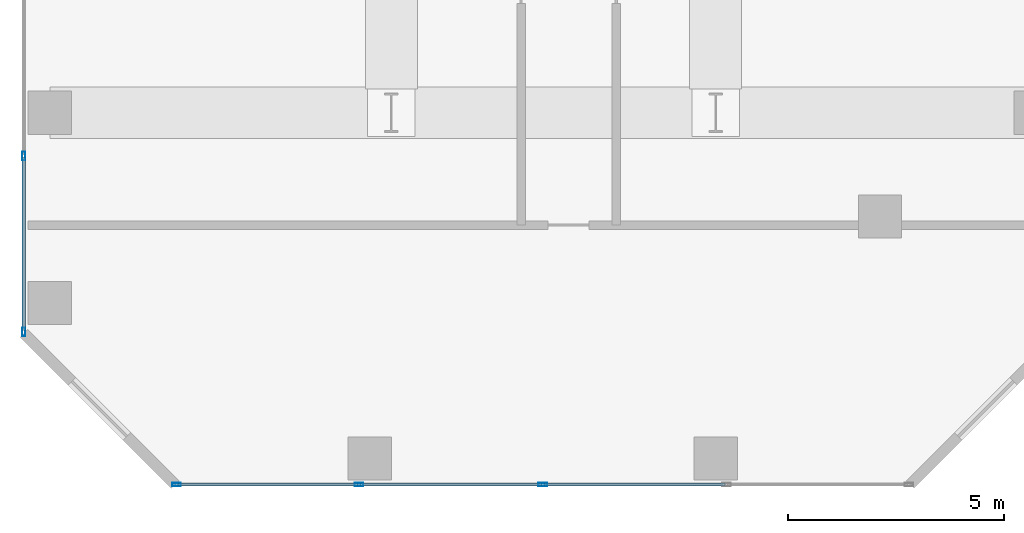
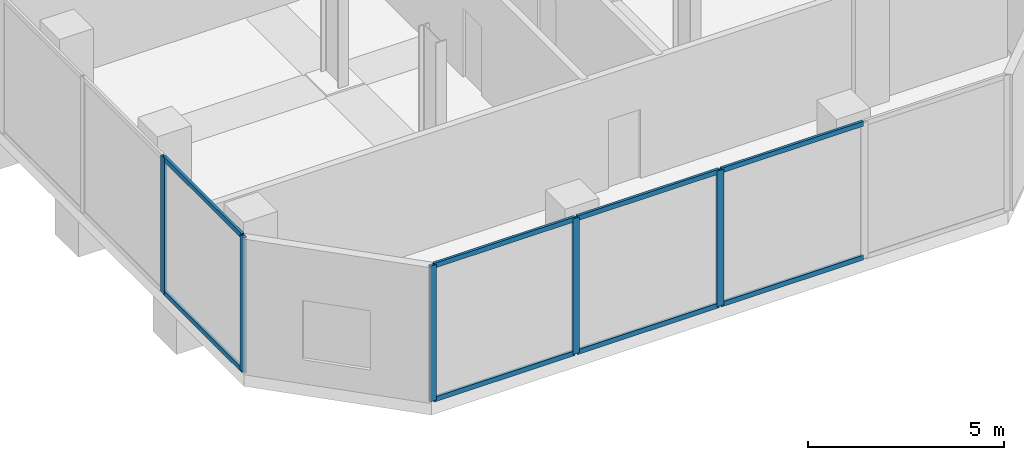
# One storey, part 2 of 24: 13 members, 2 elements without a shape of their own.
"""IFC4 building model written with IfcOpenShell, lengths in metres."""

from ifc_helpers import new_model, si_unit, direction, frame, origin, origin_2d, place, context, subcontext, project, spatial, hollow_rectangle, extrude, material, layer, layer_set, material_profile, profile_set, type_object, element, aggregate, save


model = new_model("IFC4")

# Units and contexts
model_context = context("Model", 3, precision=1e-05, world=origin(), true_north=direction((0.0, 1.0)))
body_context = subcontext(model_context, "Body", "Model", "MODEL_VIEW")
ifc_project = project(units=[si_unit("LENGTHUNIT", "METRE"), si_unit("AREAUNIT", "SQUARE_METRE"), si_unit("VOLUMEUNIT", "CUBIC_METRE"), si_unit("PLANEANGLEUNIT", "RADIAN"), si_unit("MASSUNIT", "GRAM", prefix="KILO")], contexts=[model_context])

# Site, building, storey
site_placement = place(None, origin())
site = spatial("IfcSite", under=ifc_project, at=site_placement, CompositionType="ELEMENT")
building_placement = place(site_placement, origin())
building = spatial("IfcBuilding", under=site, at=building_placement, Name="Catumbela Crestline Tower", CompositionType="ELEMENT")
storey_placement = place(building_placement, frame((0.0, 0.0, 21.3)))
storey = spatial("IfcBuildingStorey", under=building, at=storey_placement, Name="L04", CompositionType="ELEMENT", Elevation=21.3)

# Curtain wall, members
ifc_material = material(Name="Aluminium alloy AW-6060-T66", Category="aluminium")
ifc_layer = layer(ifc_material, 0.18, Name="Aluminium alloy AW-6060-T66")
ifc_layer_set = layer_set([ifc_layer], Name="Aluminium alloy AW-6060-T66")
curtain_wall_type = type_object("IfcCurtainWallType", Name="CWS-POD", PredefinedType="USERDEFINED", material=ifc_layer_set)
curtain_wall_1_placement = place(storey_placement, origin())
curtain_wall_1 = element("IfcCurtainWall", 1, at=curtain_wall_1_placement, inside=storey, type_object=curtain_wall_type, Name="L04 Stick Curtain Wall CW-L04-E0S1", ObjectType="STICK", PredefinedType="USERDEFINED")
ifc_material_profile_1 = material_profile(ifc_material, hollow_rectangle(XDim=0.075, YDim=0.2, WallThickness=0.005, at=origin_2d()), Name="ALU 200x75x5")
ifc_profile_set_1 = profile_set([ifc_material_profile_1], Name="Aluminium alloy AW-6060-T66")
member_type_1 = type_object("IfcMemberType", Name="MUL-200X75", PredefinedType="MULLION", material=ifc_profile_set_1)
member_1_placement = place(storey_placement, frame((3.5325, 0.0, 0.0), z_axis=(0.0, 0.0, 1.0), x_axis=(0.0, 1.0, 0.0)))
member_1 = element("IfcMember", 2, at=member_1_placement, type_object=member_type_1, Name="CWS-POD mullion 1", PredefinedType="MULLION", context=body_context, shape_type="SweptSolid", body=[
    extrude(hollow_rectangle(XDim=0.075, YDim=0.2, WallThickness=0.005, at=origin_2d()), origin(), (0.0, 0.0, 1.0), 4.23),
])
member_2_placement = place(storey_placement, frame((7.75, 0.0, 0.0), z_axis=(0.0, 0.0, 1.0), x_axis=(0.0, 1.0, 0.0)))
member_2 = element("IfcMember", 3, at=member_2_placement, type_object=member_type_1, Name="CWS-POD mullion 2", PredefinedType="MULLION", context=body_context, shape_type="SweptSolid", body=[
    extrude(hollow_rectangle(XDim=0.075, YDim=0.2, WallThickness=0.005, at=origin_2d()), origin(), (0.0, 0.0, 1.0), 4.23),
])
member_3_placement = place(storey_placement, frame((12.0, 0.0, 0.0), z_axis=(0.0, 0.0, 1.0), x_axis=(0.0, 1.0, 0.0)))
member_3 = element("IfcMember", 4, at=member_3_placement, type_object=member_type_1, Name="CWS-POD mullion 3", PredefinedType="MULLION", context=body_context, shape_type="SweptSolid", body=[
    extrude(hollow_rectangle(XDim=0.075, YDim=0.2, WallThickness=0.005, at=origin_2d()), origin(), (0.0, 0.0, 1.0), 4.23),
])

curtain_wall_2_placement = place(storey_placement, origin())
curtain_wall_2 = element("IfcCurtainWall", 5, at=curtain_wall_2_placement, inside=storey, type_object=curtain_wall_type, Name="L04 Stick Curtain Wall CW-L04-E9S1", ObjectType="STICK", PredefinedType="USERDEFINED")
member_4_placement = place(storey_placement, frame((0.0, 7.6, 0.0), z_axis=(0.0, 0.0, 1.0), x_axis=(1.0, 0.0, 0.0)))
member_4 = element("IfcMember", 6, at=member_4_placement, type_object=member_type_1, Name="CWS-POD mullion 10", PredefinedType="MULLION", context=body_context, shape_type="SweptSolid", body=[
    extrude(hollow_rectangle(XDim=0.075, YDim=0.2, WallThickness=0.005, at=origin_2d()), origin(), (0.0, 0.0, 1.0), 4.23),
])
member_5_placement = place(storey_placement, frame((0.0, 3.5325, 0.0), z_axis=(0.0, 0.0, 1.0), x_axis=(1.0, 0.0, 0.0)))
member_5 = element("IfcMember", 7, at=member_5_placement, type_object=member_type_1, Name="CWS-POD mullion 11", PredefinedType="MULLION", context=body_context, shape_type="SweptSolid", body=[
    extrude(hollow_rectangle(XDim=0.075, YDim=0.2, WallThickness=0.005, at=origin_2d()), origin(), (0.0, 0.0, 1.0), 4.23),
])

# Member
ifc_material_profile_2 = material_profile(ifc_material, hollow_rectangle(XDim=0.075, YDim=0.15, WallThickness=0.0045, at=origin_2d()), Name="ALU 150x75x4.5")
ifc_profile_set_2 = profile_set([ifc_material_profile_2], Name="Aluminium alloy AW-6060-T66")
member_type_2 = type_object("IfcMemberType", Name="TRN-150X75", PredefinedType="USERDEFINED", material=ifc_profile_set_2)
member_6_placement = place(storey_placement, frame((3.565, 0.0, 0.03), z_axis=(1.0, 0.0, 0.0), x_axis=(0.0, 1.0, 0.0)))
member_6 = element("IfcMember", 8, at=member_6_placement, type_object=member_type_2, Name="CWS-POD transom 1.1", ObjectType="TRANSOM", PredefinedType="USERDEFINED", context=body_context, shape_type="SweptSolid", body=[
    extrude(hollow_rectangle(XDim=0.075, YDim=0.15, WallThickness=0.0045, at=origin_2d()), origin(), (0.0, 0.0, 1.0), 4.1525),
])

member_7_placement = place(storey_placement, frame((3.565, 0.0, 4.2), z_axis=(1.0, 0.0, 0.0), x_axis=(0.0, 1.0, 0.0)))
member_7 = element("IfcMember", 9, at=member_7_placement, type_object=member_type_2, Name="CWS-POD transom 1.2", ObjectType="TRANSOM", PredefinedType="USERDEFINED", context=body_context, shape_type="SweptSolid", body=[
    extrude(hollow_rectangle(XDim=0.075, YDim=0.15, WallThickness=0.0045, at=origin_2d()), origin(), (0.0, 0.0, 1.0), 4.1525),
])

member_8_placement = place(storey_placement, frame((7.7825, 0.0, 0.03), z_axis=(1.0, 0.0, 0.0), x_axis=(0.0, 1.0, 0.0)))
member_8 = element("IfcMember", 10, at=member_8_placement, type_object=member_type_2, Name="CWS-POD transom 2.1", ObjectType="TRANSOM", PredefinedType="USERDEFINED", context=body_context, shape_type="SweptSolid", body=[
    extrude(hollow_rectangle(XDim=0.075, YDim=0.15, WallThickness=0.0045, at=origin_2d()), origin(), (0.0, 0.0, 1.0), 4.185),
])

member_9_placement = place(storey_placement, frame((7.7825, 0.0, 4.2), z_axis=(1.0, 0.0, 0.0), x_axis=(0.0, 1.0, 0.0)))
member_9 = element("IfcMember", 11, at=member_9_placement, type_object=member_type_2, Name="CWS-POD transom 2.2", ObjectType="TRANSOM", PredefinedType="USERDEFINED", context=body_context, shape_type="SweptSolid", body=[
    extrude(hollow_rectangle(XDim=0.075, YDim=0.15, WallThickness=0.0045, at=origin_2d()), origin(), (0.0, 0.0, 1.0), 4.185),
])

member_10_placement = place(storey_placement, frame((12.0325, 0.0, 0.03), z_axis=(1.0, 0.0, 0.0), x_axis=(0.0, 1.0, 0.0)))
member_10 = element("IfcMember", 12, at=member_10_placement, type_object=member_type_2, Name="CWS-POD transom 3.1", ObjectType="TRANSOM", PredefinedType="USERDEFINED", context=body_context, shape_type="SweptSolid", body=[
    extrude(hollow_rectangle(XDim=0.075, YDim=0.15, WallThickness=0.0045, at=origin_2d()), origin(), (0.0, 0.0, 1.0), 4.185),
])

member_11_placement = place(storey_placement, frame((12.0325, 0.0, 4.2), z_axis=(1.0, 0.0, 0.0), x_axis=(0.0, 1.0, 0.0)))
member_11 = element("IfcMember", 13, at=member_11_placement, type_object=member_type_2, Name="CWS-POD transom 3.2", ObjectType="TRANSOM", PredefinedType="USERDEFINED", context=body_context, shape_type="SweptSolid", body=[
    extrude(hollow_rectangle(XDim=0.075, YDim=0.15, WallThickness=0.0045, at=origin_2d()), origin(), (0.0, 0.0, 1.0), 4.185),
])

aggregate(curtain_wall_1, [member_1, member_2, member_3, member_6, member_7, member_8, member_9, member_10, member_11])

member_12_placement = place(storey_placement, frame((0.0, 7.5675, 0.03), z_axis=(0.0, -1.0, 0.0), x_axis=(1.0, 0.0, 0.0)))
member_12 = element("IfcMember", 14, at=member_12_placement, type_object=member_type_2, Name="CWS-POD transom 10.1", ObjectType="TRANSOM", PredefinedType="USERDEFINED", context=body_context, shape_type="SweptSolid", body=[
    extrude(hollow_rectangle(XDim=0.075, YDim=0.15, WallThickness=0.0045, at=origin_2d()), origin(), (0.0, 0.0, 1.0), 4.0025),
])

member_13_placement = place(storey_placement, frame((0.0, 7.5675, 4.2), z_axis=(0.0, -1.0, 0.0), x_axis=(1.0, 0.0, 0.0)))
member_13 = element("IfcMember", 15, at=member_13_placement, type_object=member_type_2, Name="CWS-POD transom 10.2", ObjectType="TRANSOM", PredefinedType="USERDEFINED", context=body_context, shape_type="SweptSolid", body=[
    extrude(hollow_rectangle(XDim=0.075, YDim=0.15, WallThickness=0.0045, at=origin_2d()), origin(), (0.0, 0.0, 1.0), 4.0025),
])

aggregate(curtain_wall_2, [member_4, member_5, member_12, member_13])

save(model, "model.ifc")
